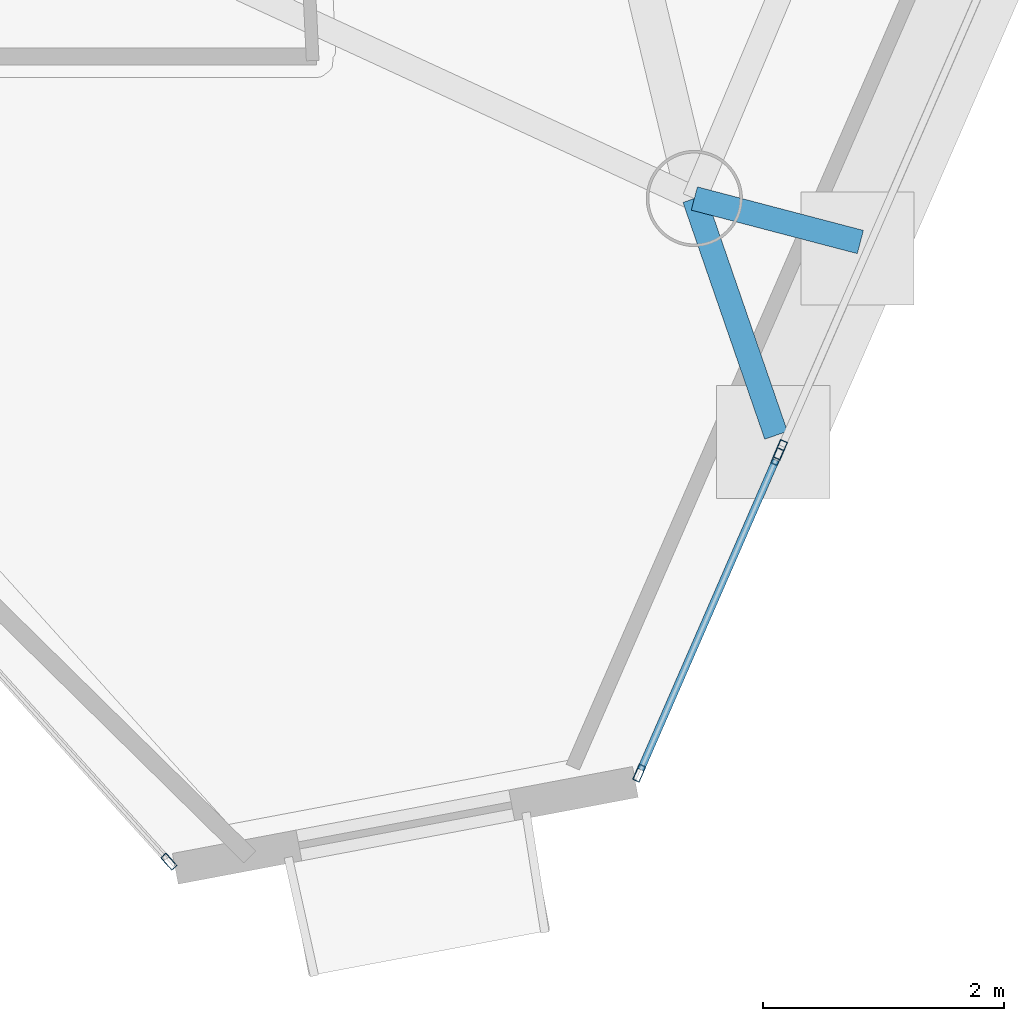
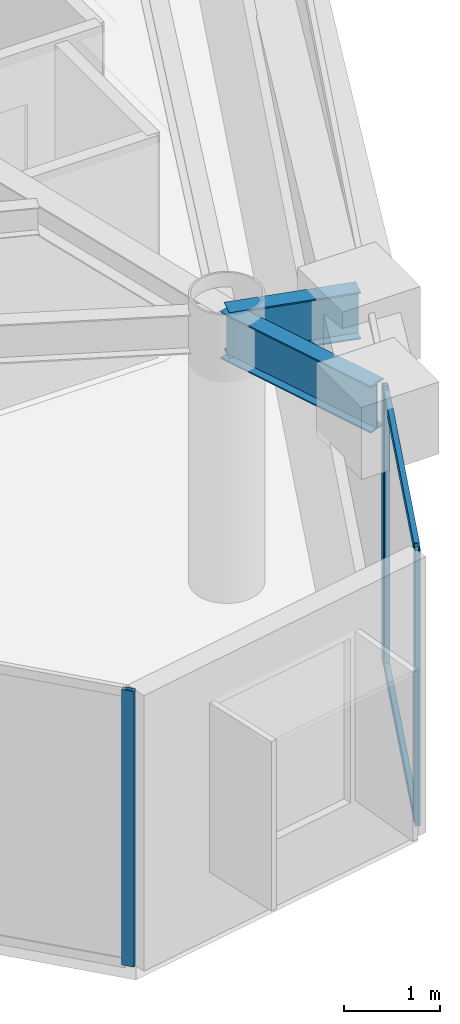
# One storey, part 3 of 19: 6 members, 2 beams, 3 elements without a shape of their own.
"""IFC4 building model written with IfcOpenShell, lengths in metres."""

from ifc_helpers import new_model, si_unit, direction, frame, origin, origin_2d, place, context, subcontext, project, spatial, hollow_rectangle, i_section, extrude, material, layer, layer_set, material_profile, profile_set, type_object, element, aggregate, save


model = new_model("IFC4")

# Units and contexts
model_context = context("Model", 3, precision=1e-05, world=origin(), true_north=direction((0.0, 1.0)))
body_context = subcontext(model_context, "Body", "Model", "MODEL_VIEW")
ifc_project = project(units=[si_unit("LENGTHUNIT", "METRE"), si_unit("AREAUNIT", "SQUARE_METRE"), si_unit("VOLUMEUNIT", "CUBIC_METRE"), si_unit("PLANEANGLEUNIT", "RADIAN"), si_unit("MASSUNIT", "GRAM", prefix="KILO")], contexts=[model_context])

# Site, building, storey
site_placement = place(None, origin())
site = spatial("IfcSite", under=ifc_project, at=site_placement, CompositionType="ELEMENT")
building_placement = place(site_placement, origin())
building = spatial("IfcBuilding", under=site, at=building_placement, Name="Qianvela Tower", CompositionType="ELEMENT")
storey_placement = place(building_placement, frame((0.0, 0.0, 329.60009765625)))
storey = spatial("IfcBuildingStorey", under=building, at=storey_placement, Name="L85", CompositionType="ELEMENT", Elevation=329.60009765625)

# Beams
ifc_material_1 = material(Name="Steel Q355B", Category="steel")
ifc_material_profile_1 = material_profile(ifc_material_1, i_section(OverallWidth=0.199951171875, OverallDepth=0.60009765625, WebThickness=0.010986328125, FlangeThickness=0.01708984375, at=origin_2d()), Name="HN600x200x11x17")
ifc_profile_set_1 = profile_set([ifc_material_profile_1], Name="Steel Q355B")
beam_type = type_object("IfcBeamType", Name="BM-HN600-GIRD", PredefinedType="BEAM", material=ifc_profile_set_1)
beam_1_placement = place(storey_placement, frame((41.217041015625, 12.087890625, 3.218017578125), z_axis=(0.326305033195, -0.945264526633, 0.0), x_axis=(0.945264526633, 0.326305033195, 0.0)))
element("IfcBeam", 1, at=beam_1_placement, inside=storey, type_object=beam_type, Name="L85 Mega-Brace Column Tie Bracket F3-1", PredefinedType="BEAM", context=body_context, shape_type="SweptSolid", body=[
    extrude(i_section(OverallWidth=0.199951171875, OverallDepth=0.60009765625, WebThickness=0.010986328125, FlangeThickness=0.01708984375, at=origin_2d()), origin(), (0.0, 0.0, 1.0), 2.082275390625),
])
beam_2_placement = place(storey_placement, frame((41.217041015625, 12.087890625, 3.218017578125), z_axis=(0.967311284044, -0.253591955237, 0.0), x_axis=(0.253591955237, 0.967311284044, 0.0)))
element("IfcBeam", 2, at=beam_2_placement, inside=storey, type_object=beam_type, Name="L85 Mega-Brace Column Tie Bracket F3-2", PredefinedType="BEAM", context=body_context, shape_type="SweptSolid", body=[
    extrude(i_section(OverallWidth=0.199951171875, OverallDepth=0.60009765625, WebThickness=0.010986328125, FlangeThickness=0.01708984375, at=origin_2d()), origin(), (0.0, 0.0, 1.0), 1.4267578125),
])

# Curtain wall, member
ifc_material_2 = material(Name="Anodised Architectural Aluminium and Insulated Spandrel Panel", Category="aluminium")
ifc_layer_1 = layer(ifc_material_2, 0.179931640625)
ifc_layer_set_1 = layer_set([ifc_layer_1], Name="Anodised Architectural Aluminium and Insulated Spandrel Panel")
curtain_wall_type_1 = type_object("IfcCurtainWallType", Name="CW-BRACEBAY", PredefinedType="USERDEFINED", material=ifc_layer_set_1)
curtain_wall_1_placement = place(storey_placement, origin())
curtain_wall_1 = element("IfcCurtainWall", 3, at=curtain_wall_1_placement, inside=storey, type_object=curtain_wall_type_1, Name="L85 CW-BRACEBAY Curtain Wall 06B", ObjectType="CURTAIN_WALL_SYSTEM", PredefinedType="USERDEFINED")
ifc_material_3 = material(Name="Anodised Architectural Aluminium 6063-T6", Category="aluminium")
ifc_material_profile_2 = material_profile(ifc_material_3, hollow_rectangle(XDim=0.06494140625, YDim=0.159912109375, WallThickness=0.0048828125, at=origin_2d()), Name="ALU-MULL-65x160")
ifc_profile_set_2 = profile_set([ifc_material_profile_2], Name="Anodised Architectural Aluminium 6063-T6")
member_type_1 = type_object("IfcMemberType", Name="CW-BRACEBAY-MULL", PredefinedType="MULLION", material=ifc_profile_set_2)
member_1_placement = place(storey_placement, frame((41.931396484375, 9.99951171875, 0.0), z_axis=(0.0, 0.0, 1.0), x_axis=(-0.916593096864, 0.399821328572, 0.0)))
member_1 = element("IfcMember", 4, at=member_1_placement, type_object=member_type_1, Name="CW-9 mullion 1", PredefinedType="MULLION", context=body_context, shape_type="SweptSolid", body=[
    extrude(hollow_rectangle(XDim=0.06494140625, YDim=0.159912109375, WallThickness=0.0048828125, at=origin_2d()), origin(), (0.0, 0.0, 1.0), 3.52001953125),
])
aggregate(curtain_wall_1, [member_1])

ifc_material_4 = material(Name="Anodised Architectural Aluminium and Low-E Glass", Category="aluminium")
ifc_layer_2 = layer(ifc_material_4, 0.14990234375)
ifc_layer_set_2 = layer_set([ifc_layer_2], Name="Anodised Architectural Aluminium and Low-E Glass")
curtain_wall_type_2 = type_object("IfcCurtainWallType", Name="CW-COLIV-Z78", PredefinedType="USERDEFINED", material=ifc_layer_set_2)
curtain_wall_2_placement = place(storey_placement, origin())
curtain_wall_2 = element("IfcCurtainWall", 5, at=curtain_wall_2_placement, inside=storey, type_object=curtain_wall_type_2, Name="L85 CW-COLIV-Z78 Curtain Wall 04C", ObjectType="CURTAIN_WALL_SYSTEM", PredefinedType="USERDEFINED")
ifc_material_5 = material(Name="Anodised Architectural Aluminium 6063-T6", Category="aluminium")
ifc_material_profile_3 = material_profile(ifc_material_5, hollow_rectangle(XDim=0.06005859375, YDim=0.139892578125, WallThickness=0.00439453125, at=origin_2d()), Name="ALU-MULL-60x140")
ifc_profile_set_3 = profile_set([ifc_material_profile_3], Name="Anodised Architectural Aluminium 6063-T6")
member_type_2 = type_object("IfcMemberType", Name="CW-COLIV-Z78-MULL", PredefinedType="MULLION", material=ifc_profile_set_3)
member_2_placement = place(storey_placement, frame((36.849609375, 6.57568359375, 0.0), z_axis=(0.0, 0.0, 1.0), x_axis=(0.742212902649, 0.670164164322, 0.0)))
member_2 = element("IfcMember", 6, at=member_2_placement, type_object=member_type_2, Name="CW-6 mullion 2", PredefinedType="MULLION", context=body_context, shape_type="SweptSolid", body=[
    extrude(hollow_rectangle(XDim=0.06005859375, YDim=0.139892578125, WallThickness=0.00439453125, at=origin_2d()), origin(), (0.0, 0.0, 1.0), 3.52001953125),
])
aggregate(curtain_wall_2, [member_2])

# Curtain wall, members
curtain_wall_3_placement = place(storey_placement, origin())
curtain_wall_3 = element("IfcCurtainWall", 7, at=curtain_wall_3_placement, inside=storey, type_object=curtain_wall_type_2, Name="L85 CW-COLIV-Z78 Curtain Wall 06A", ObjectType="CURTAIN_WALL_SYSTEM", PredefinedType="USERDEFINED")
member_3_placement = place(storey_placement, frame((40.759033203125, 7.311767578125, 0.0), z_axis=(0.0, 0.0, 1.0), x_axis=(-0.916589186894, 0.399830292086, 0.0)))
member_3 = element("IfcMember", 8, at=member_3_placement, type_object=member_type_2, Name="CW-6 mullion 1", PredefinedType="MULLION", context=body_context, shape_type="SweptSolid", body=[
    extrude(hollow_rectangle(XDim=0.06005859375, YDim=0.139892578125, WallThickness=0.00439453125, at=origin_2d()), origin(), (0.0, 0.0, 1.0), 3.52001953125),
])
member_4_placement = place(storey_placement, frame((41.906494140625, 9.9423828125, 0.0), z_axis=(0.0, 0.0, 1.0), x_axis=(-0.916589186894, 0.399830292086, 0.0)))
member_4 = element("IfcMember", 9, at=member_4_placement, type_object=member_type_2, Name="CW-6 mullion 2", PredefinedType="MULLION", context=body_context, shape_type="SweptSolid", body=[
    extrude(hollow_rectangle(XDim=0.06005859375, YDim=0.139892578125, WallThickness=0.00439453125, at=origin_2d()), origin(), (0.0, 0.0, 1.0), 3.52001953125),
])
ifc_material_6 = material(Name="Anodised Architectural Aluminium 6063-T6", Category="aluminium")
ifc_material_profile_4 = material_profile(ifc_material_6, hollow_rectangle(XDim=0.06005859375, YDim=0.114990234375, WallThickness=0.00390625, at=origin_2d()), Name="ALU-TRAN-60x115")
ifc_profile_set_4 = profile_set([ifc_material_profile_4], Name="Anodised Architectural Aluminium 6063-T6")
member_type_3 = type_object("IfcMemberType", Name="CW-COLIV-Z78-TRAN", PredefinedType="USERDEFINED", material=ifc_profile_set_4)
member_5_placement = place(storey_placement, frame((40.77099609375, 7.339111328125, 0.02978515625), z_axis=(0.399825024819, 0.916591484538, 0.0), x_axis=(-0.916591484538, 0.399825024819, 0.0)))
member_5 = element("IfcMember", 10, at=member_5_placement, type_object=member_type_3, Name="CW-6 transom 1.1", ObjectType="TRANSOM", PredefinedType="USERDEFINED", context=body_context, shape_type="SweptSolid", body=[
    extrude(hollow_rectangle(XDim=0.06005859375, YDim=0.114990234375, WallThickness=0.00390625, at=origin_2d()), origin(), (0.0, 0.0, 1.0), 2.81005859375),
])
member_6_placement = place(storey_placement, frame((40.77099609375, 7.339111328125, 3.489990234375), z_axis=(0.399825024819, 0.916591484538, 0.0), x_axis=(-0.916591484538, 0.399825024819, 0.0)))
member_6 = element("IfcMember", 11, at=member_6_placement, type_object=member_type_3, Name="CW-6 transom 1.2", ObjectType="TRANSOM", PredefinedType="USERDEFINED", context=body_context, shape_type="SweptSolid", body=[
    extrude(hollow_rectangle(XDim=0.06005859375, YDim=0.114990234375, WallThickness=0.00390625, at=origin_2d()), origin(), (0.0, 0.0, 1.0), 2.81005859375),
])
aggregate(curtain_wall_3, [member_3, member_4, member_5, member_6])

save(model, "model.ifc")
